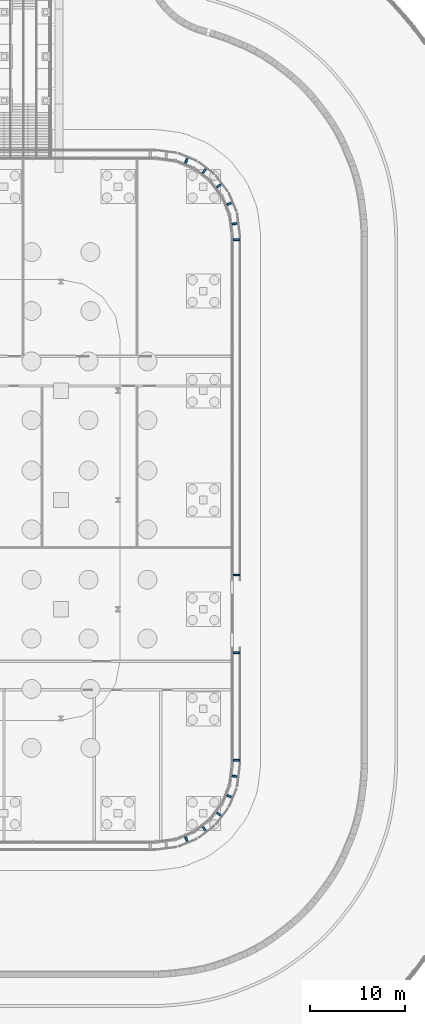
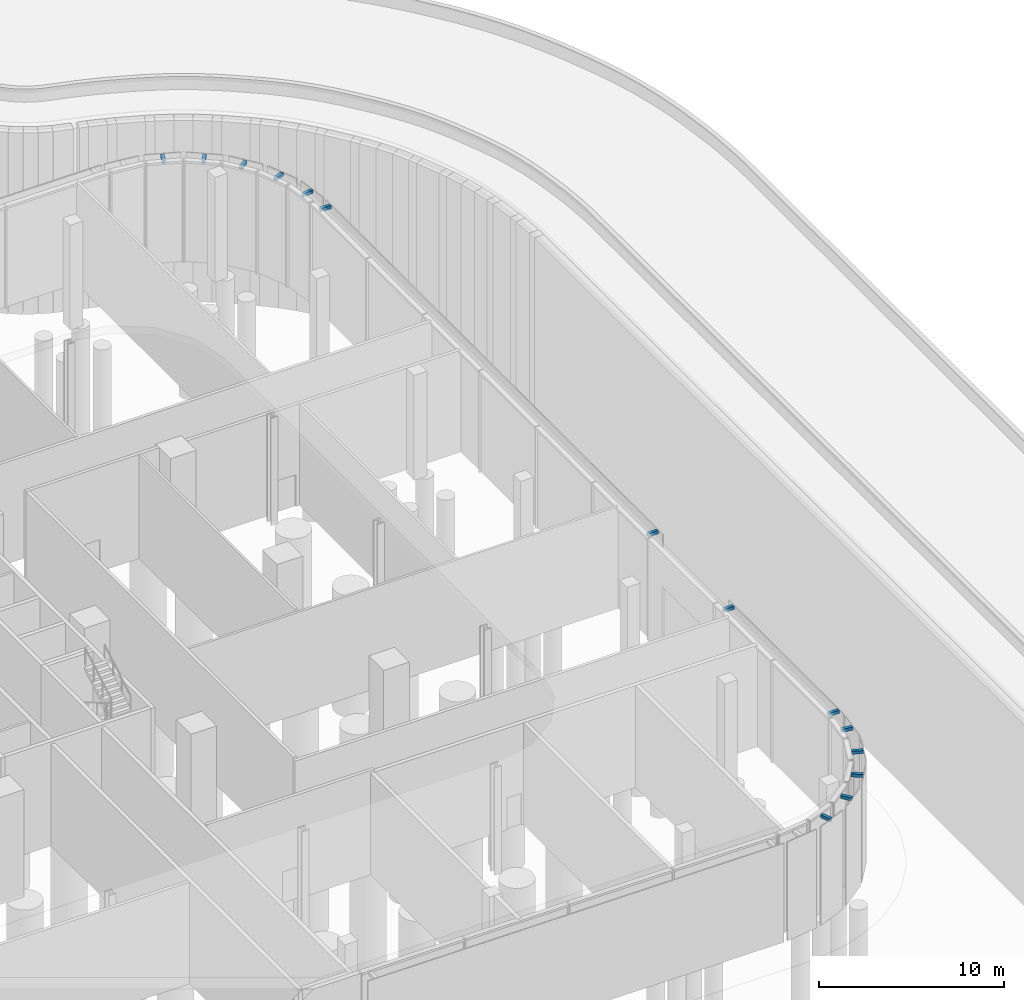
# One storey, part 35 of 48: 14 discrete accessories.
"""IFC4 building model written with IfcOpenShell, lengths in metres."""

from ifc_helpers import new_model, si_unit, direction, frame, origin, origin_2d, place, context, subcontext, project, spatial, rectangle, extrude, material, type_object, element, save


model = new_model("IFC4")

# Units and contexts
model_context = context("Model", 3, precision=1e-05, world=origin(), true_north=direction((0.0, 1.0)))
body_context = subcontext(model_context, "Body", "Model", "MODEL_VIEW")
ifc_project = project(units=[si_unit("LENGTHUNIT", "METRE"), si_unit("AREAUNIT", "SQUARE_METRE"), si_unit("VOLUMEUNIT", "CUBIC_METRE"), si_unit("PLANEANGLEUNIT", "RADIAN"), si_unit("MASSUNIT", "GRAM", prefix="KILO")], contexts=[model_context])

# Site, building, storey
site_placement = place(None, origin())
site = spatial("IfcSite", under=ifc_project, at=site_placement, CompositionType="ELEMENT")
building_placement = place(site_placement, origin())
building = spatial("IfcBuilding", under=site, at=building_placement, Name="Mahtab Terrace Research Tower", CompositionType="ELEMENT")
storey_placement = place(building_placement, origin())
storey = spatial("IfcBuildingStorey", under=building, at=storey_placement, Name="G", CompositionType="ELEMENT", Elevation=0.0)

# Discrete accessories
ifc_material = material(Name="Black anodised aluminium", Category="aluminium")
discrete_accessory_type = type_object("IfcDiscreteAccessoryType", Name="Facade bracket", PredefinedType="BRACKET", material=ifc_material)
for number, where, z_axis, x_axis, name in (
    (1, (59.766357421875, 31.21728515625, 6.39990234375), (0.0, 0.0, 1.0), (-0.382676089485, 0.923882573998, 0.0), "Screen bracket Girih screen ground E1"),
    (2, (58.66943359375, 33.11767578125, 6.39990234375), (0.0, 0.0, 1.0), (-0.60862253119, 0.793459901021, 0.0), "Screen bracket Girih screen ground E1"),
    (3, (57.11767578125, 34.66943359375, 6.39990234375), (0.0, 0.0, 1.0), (-0.793459901021, 0.60862253119, 0.0), "Screen bracket Girih screen ground N1"),
    (4, (55.21728515625, 35.766357421875, 6.39990234375), (0.0, 0.0, 1.0), (-0.923882573998, 0.382676089485, 0.0), "Screen bracket Girih screen ground N1"),
    (5, (55.21728515625, -35.766357421875, 6.39990234375), (0.0, 0.0, 1.0), (0.923882573998, 0.382676089485, 0.0), "Screen bracket Girih screen ground S1"),
    (6, (57.11767578125, -34.66943359375, 6.39990234375), (0.0, 0.0, 1.0), (0.793459901021, 0.60862253119, 0.0), "Screen bracket Girih screen ground S1"),
    (7, (58.66943359375, -33.11767578125, 6.39990234375), (0.0, 0.0, 1.0), (0.60862253119, 0.793459901021, 0.0), "Screen bracket Girih screen ground E1"),
    (8, (59.766357421875, -31.21728515625, 6.39990234375), (0.0, 0.0, 1.0), (0.382676089485, 0.923882573998, 0.0), "Screen bracket Girih screen ground E1"),
    (9, (60.33447265625, -29.09765625, 6.39990234375), (0.0, 0.0, 1.0), (0.130689793992, 0.991423309059, 0.0), "Screen bracket Girih screen ground E1"),
    (10, (60.47509765625, -27.39990234375, 6.39990234375), (0.0, 0.0, 1.0), (0.0, 1.0, 0.0), "Screen bracket Girih screen ground E1"),
    (11, (60.47509765625, -16.10009765625, 6.39990234375), (0.0, 0.0, 1.0), (0.0, 1.0, 0.0), "Screen bracket Girih screen ground E1"),
    (12, (60.47509765625, -7.89990234375, 6.39990234375), (0.0, 0.0, 1.0), (0.0, 1.0, 0.0), "Screen bracket Girih screen ground E3"),
    (13, (60.47509765625, 27.39990234375, 6.39990234375), (0.0, 0.0, 1.0), (0.0, 1.0, 0.0), "Screen bracket Girih screen ground E3"),
    (14, (60.33447265625, 29.09765625, 6.39990234375), (0.0, 0.0, 1.0), (-0.130689793992, 0.991423309059, 0.0), "Screen bracket Girih screen ground E1"),
):
    element("IfcDiscreteAccessory", number, at=place(storey_placement, frame(where, z_axis=z_axis, x_axis=x_axis)), inside=storey, type_object=discrete_accessory_type, Name=name, PredefinedType="BRACKET", context=body_context, shape_type="SweptSolid", body=[
        extrude(rectangle(XDim=0.199951171875, YDim=0.64990234375, at=origin_2d()), origin(), (0.0, 0.0, 1.0), 0.199951171875),
    ])

save(model, "model.ifc")
